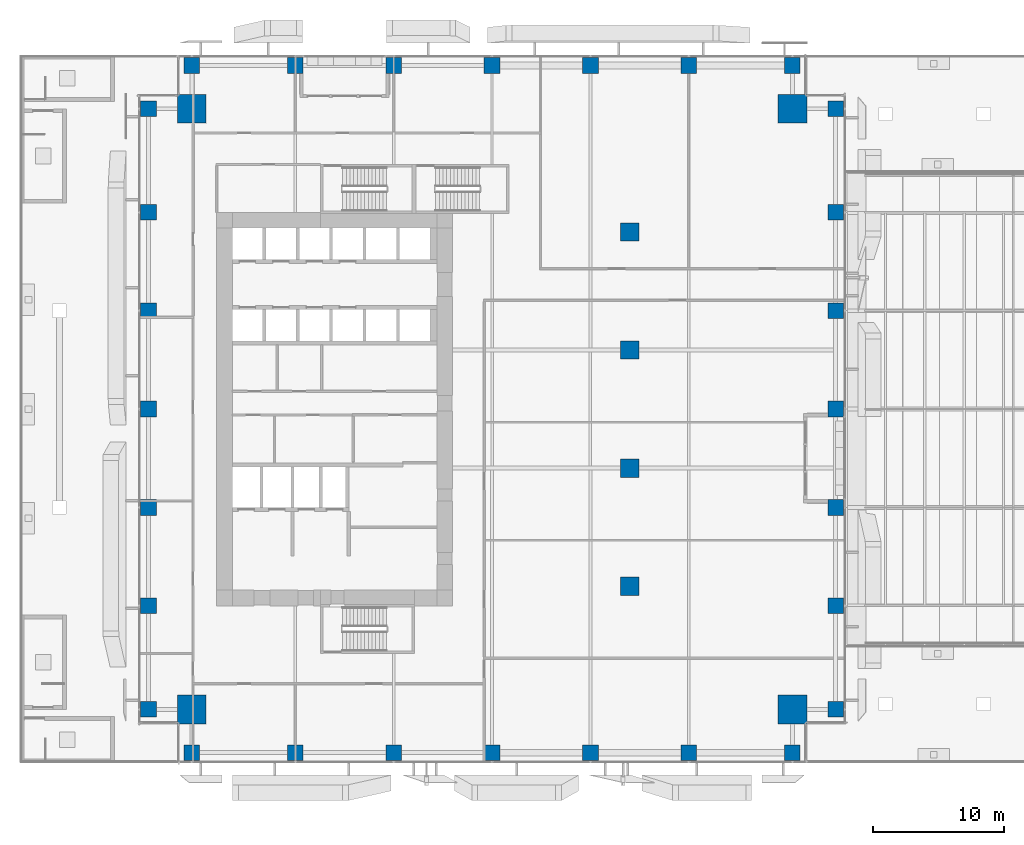
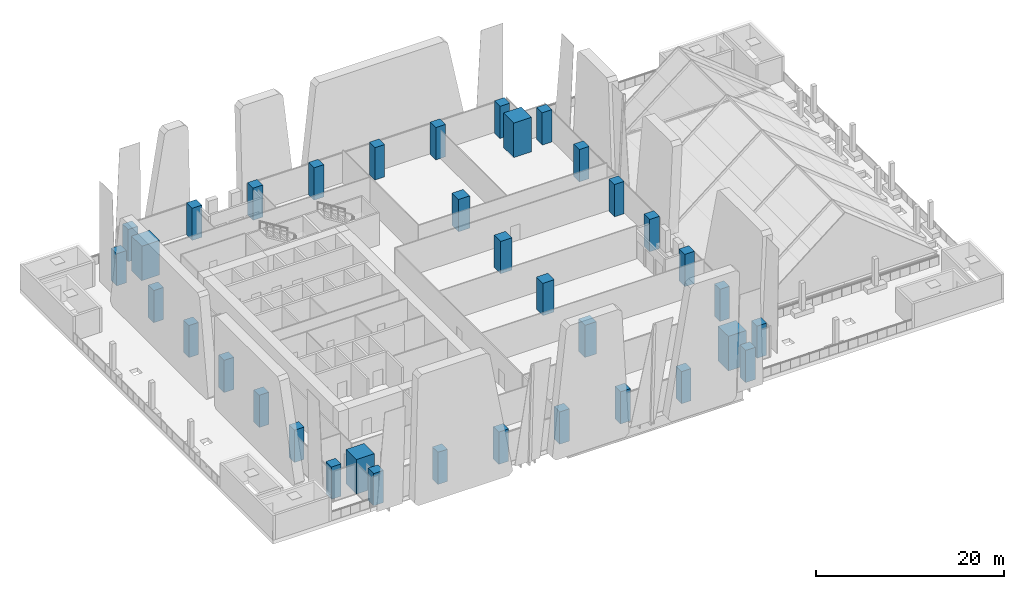
# One storey, part 1 of 46: 36 columns.
"""IFC4 building model written with IfcOpenShell, lengths in metres."""

import ifcopenshell
import ifcopenshell.guid

model = None  # the IFC model being written
_history = None  # IfcOwnerHistory: only IFC2X3 demands one
_inside = {}  # id of a spatial element -> (the spatial element, [elements in it])
_under = {}  # id of a project, library or spatial element -> (it, [spatial elements below it])
_declared = {}  # id of a project -> (the project, [libraries it declares])
_typed = {}  # id of a type object -> (the type object, [elements of that type])
_made_of = {}  # id of a material, layer set ... -> (it, [elements and type objects made of it])


def new_model(schema):
    """Start an empty IFC model of exactly this schema.

    Asked for "IFC4X3", IfcOpenShell would pick the latest addendum, in which some entities
    have other attributes; the version numbers below select the first issue.
    IFC2X3 requires an IfcOwnerHistory on every rooted entity: one is made here for all.
    """
    global model, _history
    if schema == "IFC4X3":
        model = ifcopenshell.file(schema_version=(4, 3, 0, 0))
    else:
        model = ifcopenshell.file(schema=schema)
    _inside.clear()
    _under.clear()
    _declared.clear()
    _typed.clear()
    _made_of.clear()
    _history = None
    if model.schema == "IFC2X3":
        org = make("IfcOrganization", Name="unknown")
        user = make(
            "IfcPersonAndOrganization",
            ThePerson=make("IfcPerson", FamilyName="unknown"),
            TheOrganization=org,
        )
        app = make(
            "IfcApplication",
            ApplicationDeveloper=org,
            Version="unknown",
            ApplicationFullName="unknown",
            ApplicationIdentifier="unknown",
        )
        _history = make(
            "IfcOwnerHistory",
            OwningUser=user,
            OwningApplication=app,
            ChangeAction="ADDED",
            CreationDate=0,
        )
    return model


def make(cls, **values):
    """One entity of the class cls with the attributes given. An attribute that is None is left unset."""
    return model.create_entity(
        cls, **{name: value for name, value in values.items() if value is not None}
    )


def rooted(cls, **values):
    """An entity with a GlobalId (a new one), such as an element, a storey or a relation."""
    return make(cls, GlobalId=ifcopenshell.guid.new(), OwnerHistory=_history, **values)


def si_unit(unit_type, name, prefix=None):
    """IfcSIUnit, for example si_unit("LENGTHUNIT", "METRE", prefix="MILLI")."""
    return make("IfcSIUnit", UnitType=unit_type, Prefix=prefix, Name=name)


def assignment(units):
    """IfcUnitAssignment: the units of a project."""
    return None if units is None else make("IfcUnitAssignment", Units=units)


def point(xyz):
    """IfcCartesianPoint."""
    return None if xyz is None else make("IfcCartesianPoint", Coordinates=xyz)


def direction(xyz):
    """IfcDirection."""
    return None if xyz is None else make("IfcDirection", DirectionRatios=xyz)


def frame(location, z_axis=None, x_axis=None):
    """IfcAxis2Placement3D, a coordinate frame: its origin and axes. An axis left out is left unset."""
    return make(
        "IfcAxis2Placement3D",
        Location=point(location),
        Axis=direction(z_axis),
        RefDirection=direction(x_axis),
    )


def frame_2d(location, x_axis=None):
    """IfcAxis2Placement2D, a coordinate frame in the plane: its origin and x axis."""
    return make(
        "IfcAxis2Placement2D", Location=point(location), RefDirection=direction(x_axis)
    )


def origin():
    """The frame at (0, 0, 0) with its axes left unset."""
    return frame((0.0, 0.0, 0.0))


def origin_2d():
    """The frame at (0, 0) in the plane with its x axis left unset."""
    return frame_2d((0.0, 0.0))


def place(relative_to, where):
    """IfcLocalPlacement: puts the frame where relative to a parent placement (None: the world)."""
    return make(
        "IfcLocalPlacement", PlacementRelTo=relative_to, RelativePlacement=where
    )


def context(
    kind, dimensions, precision=None, world=None, true_north=None, identifier=None
):
    """IfcGeometricRepresentationContext, for example the 3D "Model" context."""
    return make(
        "IfcGeometricRepresentationContext",
        ContextIdentifier=identifier,
        ContextType=kind,
        CoordinateSpaceDimension=dimensions,
        Precision=precision,
        WorldCoordinateSystem=world,
        TrueNorth=true_north,
    )


def subcontext(parent, identifier, kind, view, scale=None):
    """IfcGeometricRepresentationSubContext, for example "Body" below "Model"."""
    return make(
        "IfcGeometricRepresentationSubContext",
        ContextIdentifier=identifier,
        ContextType=kind,
        ParentContext=parent,
        TargetScale=scale,
        TargetView=view,
    )


def project(units=None, contexts=None):
    """IfcProject with its units and contexts."""
    return rooted(
        "IfcProject",
        Name="project",
        RepresentationContexts=contexts,
        UnitsInContext=assignment(units),
    )


def spatial(cls, under=None, at=None, **own):
    """A site, building, storey or space (cls), placed at a placement, below another one or the project."""
    s = rooted(cls, ObjectPlacement=at, **own)
    if under is not None:
        _under.setdefault(under.id(), (under, []))[1].append(s)
    return s


def profile(cls, at=None, kind="AREA", **sizes):
    """A parametric profile (cls). Its sizes go by their IFC names, for example OverallWidth=200.0."""
    return make(cls, ProfileType=kind, Position=at, **sizes)


def rectangle(**sizes):
    """IfcRectangleProfileDef."""
    return profile("IfcRectangleProfileDef", **sizes)


def extrude(swept, where, along, depth):
    """IfcExtrudedAreaSolid: the profile swept, set in the frame where, extruded along a direction by depth."""
    return make(
        "IfcExtrudedAreaSolid",
        SweptArea=swept,
        Position=where,
        ExtrudedDirection=direction(along),
        Depth=depth,
    )


def shape(context_of_items, identifier, shape_type, items):
    """IfcShapeRepresentation: the items that make up one representation, for example the "Body"."""
    return make(
        "IfcShapeRepresentation",
        ContextOfItems=context_of_items,
        RepresentationIdentifier=identifier,
        RepresentationType=shape_type,
        Items=items,
    )


def source(mapping_origin, context_of_items, identifier, shape_type, items):
    """IfcRepresentationMap: a shape defined once, which mapped items show again and again."""
    return make(
        "IfcRepresentationMap",
        MappingOrigin=mapping_origin,
        MappedRepresentation=shape(context_of_items, identifier, shape_type, items),
    )


def transform(
    local_origin,
    x_axis=None,
    y_axis=None,
    z_axis=None,
    scale=None,
    scale2=None,
    scale3=None,
    uniform=True,
):
    """IfcCartesianTransformationOperator3D, or its non-uniform kind. x_axis, y_axis, z_axis: its Axis1, 2, 3."""
    if uniform:
        return make(
            "IfcCartesianTransformationOperator3D",
            Axis1=direction(x_axis),
            Axis2=direction(y_axis),
            LocalOrigin=point(local_origin),
            Scale=scale,
            Axis3=direction(z_axis),
        )
    return make(
        "IfcCartesianTransformationOperator3DnonUniform",
        Axis1=direction(x_axis),
        Axis2=direction(y_axis),
        LocalOrigin=point(local_origin),
        Scale=scale,
        Axis3=direction(z_axis),
        Scale2=scale2,
        Scale3=scale3,
    )


def mapped(mapping_source, mapping_target):
    """IfcMappedItem: shows the shape of a source again, moved by a transform."""
    return make(
        "IfcMappedItem", MappingSource=mapping_source, MappingTarget=mapping_target
    )


def material(Name=None, Category=None):
    """IfcMaterial."""
    return make("IfcMaterial", Name=Name, Category=Category)


def material_profile(
    of_material, cross_section, Name=None, Category=None, Priority=None
):
    """IfcMaterialProfile: a cross section and its material."""
    return make(
        "IfcMaterialProfile",
        Name=Name,
        Material=of_material,
        Profile=cross_section,
        Priority=Priority,
        Category=Category,
    )


def profile_set(profiles, Name=None, composite=None):
    """IfcMaterialProfileSet."""
    return make(
        "IfcMaterialProfileSet",
        Name=Name,
        MaterialProfiles=profiles,
        CompositeProfile=composite,
    )


def made_of(thing, what):
    """Note that an element or type object is made of a material, layer set ...; save() writes the relation."""
    if what is not None:
        _made_of.setdefault(what.id(), (what, []))[1].append(thing)
    return thing


def type_object(cls, material=None, **own):
    """A type object (cls), such as IfcWallType, which elements share."""
    return made_of(rooted(cls, **own), material)


def element(
    cls,
    number,
    at=None,
    inside=None,
    cuts=None,
    type_object=None,
    material=None,
    context=None,
    identifier="Body",
    shape_type=None,
    held_by="IfcProductDefinitionShape",
    body=None,
    shapes=None,
    **own,
):
    """One element of the class cls, such as IfcWall. Its Tag is "e" and its number.

    at: its placement. inside: the storey or other place that contains it. cuts: it is an
    opening in that element (IfcRelVoidsElement). A single representation is given by context,
    identifier, shape_type and body (its items); several are given by shapes. held_by: the class
    of the entity that holds the representations. save() writes the other relations.
    """
    e = rooted(cls, Tag="e%d" % number, ObjectPlacement=at, **own)
    if body is not None:
        shapes = [shape(context, identifier, shape_type, body)]
    if shapes is not None:
        e.Representation = make(held_by, Representations=shapes)
    if inside is not None:
        _inside.setdefault(inside.id(), (inside, []))[1].append(e)
    if cuts is not None:
        rooted(
            "IfcRelVoidsElement", RelatingBuildingElement=cuts, RelatedOpeningElement=e
        )
    if type_object is not None:
        _typed.setdefault(type_object.id(), (type_object, []))[1].append(e)
    return made_of(e, material)


def aggregate(whole, parts):
    """IfcRelAggregates: a whole, such as a stair, and the parts it consists of."""
    return rooted("IfcRelAggregates", RelatingObject=whole, RelatedObjects=parts)


def save(model, path):
    """Write the relations noted so far, then the file.

    IfcRelAggregates (storeys below a building ...), IfcRelContainedInSpatialStructure (elements
    in a storey), IfcRelDefinesByType, IfcRelAssociatesMaterial and IfcRelDeclares: one each for
    every whole, place, type object, material and project.
    """
    for whole, parts in _under.values():
        aggregate(whole, parts)
    for where, things in _inside.values():
        rooted(
            "IfcRelContainedInSpatialStructure",
            RelatedElements=things,
            RelatingStructure=where,
        )
    for kind, things in _typed.values():
        rooted("IfcRelDefinesByType", RelatedObjects=things, RelatingType=kind)
    for what, things in _made_of.values():
        rooted("IfcRelAssociatesMaterial", RelatedObjects=things, RelatingMaterial=what)
    for by, libraries in _declared.values():
        rooted("IfcRelDeclares", RelatingContext=by, RelatedDefinitions=libraries)
    model.write(path)


model = new_model("IFC4")

# Units and contexts
model_context = context("Model", 3, precision=1e-05, world=origin(), true_north=direction((0.0, 1.0)))
body_context = subcontext(model_context, "Body", "Model", "MODEL_VIEW")
ifc_project = project(units=[si_unit("LENGTHUNIT", "METRE"), si_unit("AREAUNIT", "SQUARE_METRE"), si_unit("VOLUMEUNIT", "CUBIC_METRE"), si_unit("PLANEANGLEUNIT", "RADIAN"), si_unit("MASSUNIT", "GRAM", prefix="KILO")], contexts=[model_context])

# Site, building, storey
site_placement = place(None, origin())
site = spatial("IfcSite", under=ifc_project, at=site_placement, CompositionType="ELEMENT")
building_placement = place(site_placement, origin())
building = spatial("IfcBuilding", under=site, at=building_placement, Name="Khomas Fold Tower", CompositionType="ELEMENT")
storey_placement = place(building_placement, frame((0.0, 0.0, 33.0)))
storey = spatial("IfcBuildingStorey", under=building, at=storey_placement, Name="L06", CompositionType="ELEMENT", Elevation=33.0)

# Columns
ifc_material_1 = material(Name="Concrete C70/85", Category="concrete")
ifc_material_profile_1 = material_profile(ifc_material_1, rectangle(XDim=2.199951171875, YDim=2.199951171875, at=origin_2d()), Name="RC 2200x2200")
ifc_profile_set_1 = profile_set([ifc_material_profile_1], Name="Concrete C70/85")
column_type_1 = type_object("IfcColumnType", Name="RC 2200x2200 column", PredefinedType="COLUMN", material=ifc_profile_set_1)
shared_shape_1 = source(origin(), body_context, "Body", "SweptSolid", [
    extrude(rectangle(XDim=2.199951171875, YDim=2.199951171875, at=origin_2d()), origin(), (0.0, 0.0, 1.0), 4.5),
])
for number, where, z_axis, x_axis, name in (
    (1, (49.89990234375, 49.89990234375, 0.0), (0.0, 0.0, 1.0), (1.0, 0.0, 0.0), "CM-NE"),
    (2, (4.10009765625, 49.89990234375, 0.0), (0.0, 0.0, 1.0), (1.0, 0.0, 0.0), "CM-NW"),
    (3, (49.89990234375, 4.10009765625, 0.0), (0.0, 0.0, 1.0), (1.0, 0.0, 0.0), "CM-SE"),
    (4, (4.10009765625, 4.10009765625, 0.0), (0.0, 0.0, 1.0), (1.0, 0.0, 0.0), "CM-SW"),
):
    element("IfcColumn", number, at=place(storey_placement, frame(where, z_axis=z_axis, x_axis=x_axis)), inside=storey, type_object=column_type_1, Name=name, PredefinedType="COLUMN", context=body_context, shape_type="MappedRepresentation", body=[
        mapped(shared_shape_1, transform((0.0, 0.0, 0.0))),
    ])
ifc_material_2 = material(Name="Concrete C60/75", Category="concrete")
ifc_material_profile_2 = material_profile(ifc_material_2, rectangle(XDim=1.199951171875, YDim=1.199951171875, at=origin_2d()), Name="RC 1200x1200")
ifc_profile_set_2 = profile_set([ifc_material_profile_2], Name="Concrete C60/75")
column_type_2 = type_object("IfcColumnType", Name="RC 1200x1200 column", PredefinedType="COLUMN", material=ifc_profile_set_2)
shared_shape_2 = source(origin(), body_context, "Body", "SweptSolid", [
    extrude(rectangle(XDim=1.199951171875, YDim=1.199951171875, at=origin_2d()), origin(), (0.0, 0.0, 1.0), 4.199951171875),
])
for number, where, z_axis, x_axis, name in (
    (5, (4.10009765625, 0.800048828125, 0.0), (0.0, 0.0, 1.0), (1.0, 0.0, 0.0), "C-2-SF1"),
    (6, (12.0, 0.800048828125, 0.0), (0.0, 0.0, 1.0), (1.0, 0.0, 0.0), "C-6-SF1"),
    (7, (19.5, 0.800048828125, 0.0), (0.0, 0.0, 1.0), (1.0, 0.0, 0.0), "C-8-SF1"),
    (8, (27.0, 0.800048828125, 0.0), (0.0, 0.0, 1.0), (1.0, 0.0, 0.0), "C-9-SF1"),
    (9, (34.5, 0.800048828125, 0.0), (0.0, 0.0, 1.0), (1.0, 0.0, 0.0), "C-10-SF1"),
    (10, (42.0, 0.800048828125, 0.0), (0.0, 0.0, 1.0), (1.0, 0.0, 0.0), "C-13-SF1"),
    (11, (49.89990234375, 0.800048828125, 0.0), (0.0, 0.0, 1.0), (1.0, 0.0, 0.0), "C-17-SF1"),
    (12, (53.199951171875, 4.10009765625, 0.0), (0.0, 0.0, 1.0), (1.0, 0.0, 0.0), "C-E1-A"),
    (13, (53.199951171875, 12.0, 0.0), (0.0, 0.0, 1.0), (1.0, 0.0, 0.0), "C-E1-F"),
    (14, (53.199951171875, 19.5, 0.0), (0.0, 0.0, 1.0), (1.0, 0.0, 0.0), "C-E1-J"),
    (15, (53.199951171875, 27.0, 0.0), (0.0, 0.0, 1.0), (1.0, 0.0, 0.0), "C-E1-L"),
    (16, (53.199951171875, 34.5, 0.0), (0.0, 0.0, 1.0), (1.0, 0.0, 0.0), "C-E1-N"),
    (17, (53.199951171875, 42.0, 0.0), (0.0, 0.0, 1.0), (1.0, 0.0, 0.0), "C-E1-R"),
    (18, (53.199951171875, 49.89990234375, 0.0), (0.0, 0.0, 1.0), (1.0, 0.0, 0.0), "C-E1-W"),
    (19, (4.10009765625, 53.199951171875, 0.0), (0.0, 0.0, 1.0), (1.0, 0.0, 0.0), "C-2-NF1"),
    (20, (12.0, 53.199951171875, 0.0), (0.0, 0.0, 1.0), (1.0, 0.0, 0.0), "C-6-NF1"),
    (21, (19.5, 53.199951171875, 0.0), (0.0, 0.0, 1.0), (1.0, 0.0, 0.0), "C-8-NF1"),
    (22, (27.0, 53.199951171875, 0.0), (0.0, 0.0, 1.0), (1.0, 0.0, 0.0), "C-9-NF1"),
    (23, (34.5, 53.199951171875, 0.0), (0.0, 0.0, 1.0), (1.0, 0.0, 0.0), "C-10-NF1"),
    (24, (42.0, 53.199951171875, 0.0), (0.0, 0.0, 1.0), (1.0, 0.0, 0.0), "C-13-NF1"),
    (25, (49.89990234375, 53.199951171875, 0.0), (0.0, 0.0, 1.0), (1.0, 0.0, 0.0), "C-17-NF1"),
    (26, (0.800048828125, 4.10009765625, 0.0), (0.0, 0.0, 1.0), (1.0, 0.0, 0.0), "C-W1-A"),
    (27, (0.800048828125, 12.0, 0.0), (0.0, 0.0, 1.0), (1.0, 0.0, 0.0), "C-W1-F"),
    (28, (0.800048828125, 19.5, 0.0), (0.0, 0.0, 1.0), (1.0, 0.0, 0.0), "C-W1-J"),
    (29, (0.800048828125, 27.0, 0.0), (0.0, 0.0, 1.0), (1.0, 0.0, 0.0), "C-W1-L"),
    (30, (0.800048828125, 34.5, 0.0), (0.0, 0.0, 1.0), (1.0, 0.0, 0.0), "C-W1-N"),
    (31, (0.800048828125, 42.0, 0.0), (0.0, 0.0, 1.0), (1.0, 0.0, 0.0), "C-W1-R"),
    (32, (0.800048828125, 49.89990234375, 0.0), (0.0, 0.0, 1.0), (1.0, 0.0, 0.0), "C-W1-W"),
):
    element("IfcColumn", number, at=place(storey_placement, frame(where, z_axis=z_axis, x_axis=x_axis)), inside=storey, type_object=column_type_2, Name=name, PredefinedType="COLUMN", context=body_context, shape_type="MappedRepresentation", body=[
        mapped(shared_shape_2, transform((0.0, 0.0, 0.0))),
    ])
ifc_material_3 = material(Name="Concrete C60/75", Category="concrete")
ifc_material_profile_3 = material_profile(ifc_material_3, rectangle(XDim=1.39990234375, YDim=1.39990234375, at=origin_2d()), Name="RC 1400x1400")
ifc_profile_set_3 = profile_set([ifc_material_profile_3], Name="Concrete C60/75")
column_type_3 = type_object("IfcColumnType", Name="RC 1400x1400 column", PredefinedType="COLUMN", material=ifc_profile_set_3)
shared_shape_3 = source(origin(), body_context, "Body", "SweptSolid", [
    extrude(rectangle(XDim=1.39990234375, YDim=1.39990234375, at=origin_2d()), origin(), (0.0, 0.0, 1.0), 4.199951171875),
])
for number, where, z_axis, x_axis, name in (
    (33, (37.5, 13.5, 0.0), (0.0, 0.0, 1.0), (1.0, 0.0, 0.0), "C-11-H"),
    (34, (37.5, 22.5, 0.0), (0.0, 0.0, 1.0), (1.0, 0.0, 0.0), "C-11-K"),
    (35, (37.5, 31.5, 0.0), (0.0, 0.0, 1.0), (1.0, 0.0, 0.0), "C-11-M"),
    (36, (37.5, 40.5, 0.0), (0.0, 0.0, 1.0), (1.0, 0.0, 0.0), "C-11-P"),
):
    element("IfcColumn", number, at=place(storey_placement, frame(where, z_axis=z_axis, x_axis=x_axis)), inside=storey, type_object=column_type_3, Name=name, PredefinedType="COLUMN", context=body_context, shape_type="MappedRepresentation", body=[
        mapped(shared_shape_3, transform((0.0, 0.0, 0.0))),
    ])

save(model, "model.ifc")
